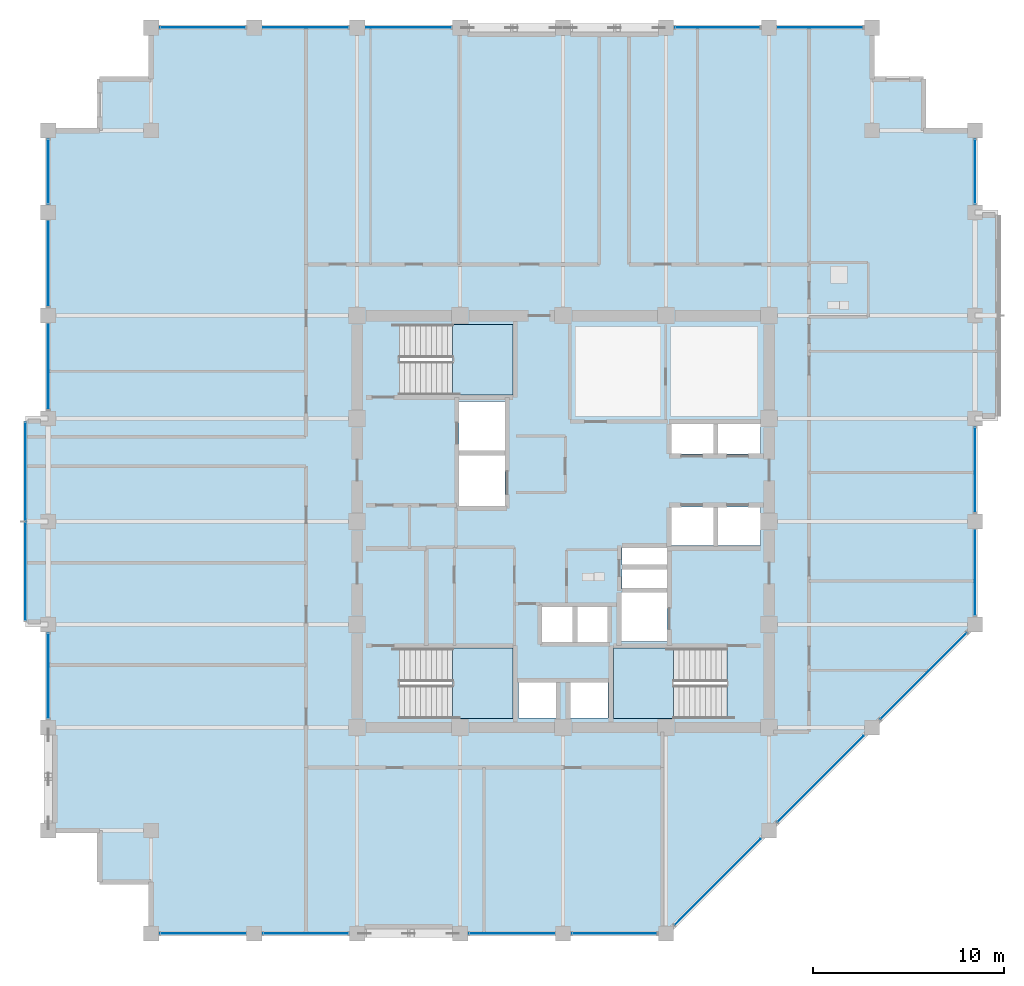
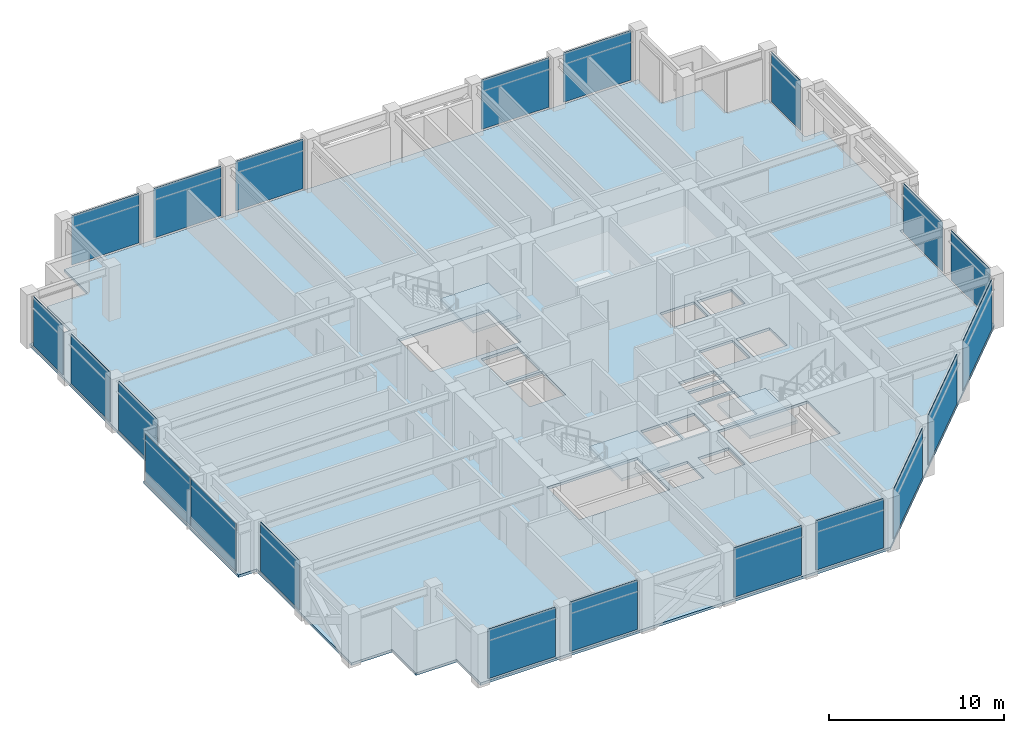
# One storey, part 25 of 32: 21 plates, 4 slabs, 13 elements without a shape of their own.
"""IFC4 building model written with IfcOpenShell, lengths in metres."""

from ifc_helpers import new_model, si_unit, direction, frame, frame_2d, origin, place, context, subcontext, project, spatial, polyline, rectangle, outline, extrude, material, layer, layer_set, type_object, element, aggregate, save


model = new_model("IFC4")

# Units and contexts
model_context = context("Model", 3, precision=1e-05, world=origin(), true_north=direction((0.0, 1.0)))
body_context = subcontext(model_context, "Body", "Model", "MODEL_VIEW")
ifc_project = project(units=[si_unit("LENGTHUNIT", "METRE"), si_unit("AREAUNIT", "SQUARE_METRE"), si_unit("VOLUMEUNIT", "CUBIC_METRE"), si_unit("PLANEANGLEUNIT", "RADIAN"), si_unit("MASSUNIT", "GRAM", prefix="KILO")], contexts=[model_context])

# Site, building, storey
site_placement = place(None, origin())
site = spatial("IfcSite", under=ifc_project, at=site_placement, CompositionType="ELEMENT")
building_placement = place(site_placement, origin())
building = spatial("IfcBuilding", under=site, at=building_placement, Name="Surkhivell Harbour Commons", CompositionType="ELEMENT")
storey_placement = place(building_placement, frame((0.0, 0.0, 234.75)))
storey = spatial("IfcBuildingStorey", under=building, at=storey_placement, Name="L61", CompositionType="ELEMENT", Elevation=234.75)

# Curtain wall, plates
ifc_material_1 = material(Name="Anodised pale-metal aluminium and insulated glazing", Category="aluminium")
ifc_layer_1 = layer(ifc_material_1, 0.1650390625)
ifc_layer_set_1 = layer_set([ifc_layer_1], Name="Anodised pale-metal aluminium and insulated glazing")
curtain_wall_type_1 = type_object("IfcCurtainWallType", Name="CW-SYS-BOX", PredefinedType="NOTDEFINED", material=ifc_layer_set_1)
curtain_wall_1_placement = place(storey_placement, origin())
curtain_wall_1 = element("IfcCurtainWall", 1, at=curtain_wall_1_placement, inside=storey, type_object=curtain_wall_type_1, Name="L61 Curtain Wall CW-L61-BOX02", PredefinedType="NOTDEFINED")
ifc_material_2 = material(Name="Triple-glazed bay-cluster vision glass", Category="glass")
ifc_layer_2 = layer(ifc_material_2, 0.028076171875)
ifc_layer_set_2 = layer_set([ifc_layer_2], Name="Triple-glazed bay-cluster vision glass")
plate_type_1 = type_object("IfcPlateType", Name="CWP-GLZ-28", PredefinedType="CURTAIN_PANEL", material=ifc_layer_set_2)
plate_1_placement = place(storey_placement, frame((-28.199951171875, -5.179931640625, 0.1298828125), z_axis=(0.0, 0.0, 1.0), x_axis=(0.0, 1.0, 0.0)))
plate_1 = element("IfcPlate", 2, at=plate_1_placement, type_object=plate_type_1, Name="CW-BOX panel 1.1", PredefinedType="CURTAIN_PANEL", context=body_context, shape_type="SweptSolid", body=[
    extrude(rectangle(XDim=5.14501953125, YDim=0.028076171875, at=frame_2d((2.572509765625, 0.0))), origin(), (0.0, 0.0, 1.0), 3.31005859375),
])
plate_2_placement = place(storey_placement, frame((-28.199951171875, 0.034912109375, 0.1298828125), z_axis=(0.0, 0.0, 1.0), x_axis=(0.0, 1.0, 0.0)))
plate_2 = element("IfcPlate", 3, at=plate_2_placement, type_object=plate_type_1, Name="CW-BOX panel 2.1", PredefinedType="CURTAIN_PANEL", context=body_context, shape_type="SweptSolid", body=[
    extrude(rectangle(XDim=5.14501953125, YDim=0.028076171875, at=frame_2d((2.572509765625, 0.0))), origin(), (0.0, 0.0, 1.0), 3.31005859375),
])
aggregate(curtain_wall_1, [plate_1, plate_2])

ifc_layer_3 = layer(ifc_material_1, 0.18994140625)
ifc_layer_set_3 = layer_set([ifc_layer_3], Name="Anodised pale-metal aluminium and insulated glazing")
curtain_wall_type_2 = type_object("IfcCurtainWallType", Name="CW-SYS-Z3", PredefinedType="NOTDEFINED", material=ifc_layer_set_3)
curtain_wall_2_placement = place(storey_placement, origin())
curtain_wall_2 = element("IfcCurtainWall", 4, at=curtain_wall_2_placement, inside=storey, type_object=curtain_wall_type_2, Name="L61 Curtain Wall CW-L61-E00S1", PredefinedType="NOTDEFINED")
ifc_material_3 = material(Name="High-pressure typhoon laminated vision glass", Category="glass")
ifc_layer_4 = layer(ifc_material_3, 0.035888671875)
ifc_layer_set_4 = layer_set([ifc_layer_4], Name="High-pressure typhoon laminated vision glass")
plate_type_2 = type_object("IfcPlateType", Name="CWP-GLZ-36", PredefinedType="CURTAIN_PANEL", material=ifc_layer_set_4)
plate_3_placement = place(storey_placement, frame((-21.123046875, -21.60009765625, 0.1298828125), z_axis=(0.0, 0.0, 1.0), x_axis=(1.0, 0.0, 0.0)))
plate_3 = element("IfcPlate", 5, at=plate_3_placement, type_object=plate_type_2, Name="CW-Z3 panel 1.1", PredefinedType="CURTAIN_PANEL", context=body_context, shape_type="SweptSolid", body=[
    extrude(rectangle(XDim=4.446044921875, YDim=0.035888671875, at=frame_2d((2.22314453125, 0.0))), origin(), (0.0, 0.0, 1.0), 3.440185546875),
])
plate_4_placement = place(storey_placement, frame((-15.722900390625, -21.60009765625, 0.1298828125), z_axis=(0.0, 0.0, 1.0), x_axis=(1.0, 0.0, 0.0)))
plate_4 = element("IfcPlate", 6, at=plate_4_placement, type_object=plate_type_2, Name="CW-Z3 panel 2.1", PredefinedType="CURTAIN_PANEL", context=body_context, shape_type="SweptSolid", body=[
    extrude(rectangle(XDim=4.44580078125, YDim=0.035888671875, at=frame_2d((2.222900390625, 0.0))), origin(), (0.0, 0.0, 1.0), 3.440185546875),
])
aggregate(curtain_wall_2, [plate_3, plate_4])

curtain_wall_3_placement = place(storey_placement, origin())
curtain_wall_3 = element("IfcCurtainWall", 7, at=curtain_wall_3_placement, inside=storey, type_object=curtain_wall_type_2, Name="L61 Curtain Wall CW-L61-E00S2", PredefinedType="NOTDEFINED")
plate_5_placement = place(storey_placement, frame((-4.923095703125, -21.60009765625, 0.1298828125), z_axis=(0.0, 0.0, 1.0), x_axis=(1.0, 0.0, 0.0)))
plate_5 = element("IfcPlate", 8, at=plate_5_placement, type_object=plate_type_2, Name="CW-Z3 panel 1.1", PredefinedType="CURTAIN_PANEL", context=body_context, shape_type="SweptSolid", body=[
    extrude(rectangle(XDim=4.446044921875, YDim=0.035888671875, at=frame_2d((2.22314453125, 0.0))), origin(), (0.0, 0.0, 1.0), 3.440185546875),
])
plate_6_placement = place(storey_placement, frame((0.47705078125, -21.60009765625, 0.1298828125), z_axis=(0.0, 0.0, 1.0), x_axis=(1.0, 0.0, 0.0)))
plate_6 = element("IfcPlate", 9, at=plate_6_placement, type_object=plate_type_2, Name="CW-Z3 panel 2.1", PredefinedType="CURTAIN_PANEL", context=body_context, shape_type="SweptSolid", body=[
    extrude(rectangle(XDim=4.446044921875, YDim=0.035888671875, at=frame_2d((2.22314453125, 0.0))), origin(), (0.0, 0.0, 1.0), 3.440185546875),
])
aggregate(curtain_wall_3, [plate_5, plate_6])

curtain_wall_4_placement = place(storey_placement, origin())
curtain_wall_4 = element("IfcCurtainWall", 10, at=curtain_wall_4_placement, inside=storey, type_object=curtain_wall_type_2, Name="L61 Curtain Wall CW-L61-E01", PredefinedType="NOTDEFINED")
plate_7_placement = place(storey_placement, frame((5.854736328125, -21.145263671875, 0.1298828125), z_axis=(0.0, 0.0, 1.0), x_axis=(0.707106781187, 0.707106781187, 0.0)))
plate_7 = element("IfcPlate", 11, at=plate_7_placement, type_object=plate_type_2, Name="CW-Z3 panel 1.1", PredefinedType="CURTAIN_PANEL", context=body_context, shape_type="SweptSolid", body=[
    extrude(rectangle(XDim=6.3505859375, YDim=0.035888671875, at=frame_2d((3.17529296875, 0.0))), origin(), (0.0, 0.0, 1.0), 3.440185546875),
])
plate_8_placement = place(storey_placement, frame((11.254638671875, -15.745361328125, 0.1298828125), z_axis=(0.0, 0.0, 1.0), x_axis=(0.707106781187, 0.707106781187, 0.0)))
plate_8 = element("IfcPlate", 12, at=plate_8_placement, type_object=plate_type_2, Name="CW-Z3 panel 2.1", PredefinedType="CURTAIN_PANEL", context=body_context, shape_type="SweptSolid", body=[
    extrude(rectangle(XDim=6.350830078125, YDim=0.035888671875, at=frame_2d((3.17529296875, 0.0))), origin(), (0.0, 0.0, 1.0), 3.440185546875),
])
plate_9_placement = place(storey_placement, frame((16.65478515625, -10.34521484375, 0.1298828125), z_axis=(0.0, 0.0, 1.0), x_axis=(0.707106781187, 0.707106781187, 0.0)))
plate_9 = element("IfcPlate", 13, at=plate_9_placement, type_object=plate_type_2, Name="CW-Z3 panel 3.1", PredefinedType="CURTAIN_PANEL", context=body_context, shape_type="SweptSolid", body=[
    extrude(rectangle(XDim=6.3505859375, YDim=0.035888671875, at=frame_2d((3.17529296875, 0.0))), origin(), (0.0, 0.0, 1.0), 3.440185546875),
])
aggregate(curtain_wall_4, [plate_7, plate_8, plate_9])

curtain_wall_5_placement = place(storey_placement, origin())
curtain_wall_5 = element("IfcCurtainWall", 14, at=curtain_wall_5_placement, inside=storey, type_object=curtain_wall_type_2, Name="L61 Curtain Wall CW-L61-E02R1", PredefinedType="NOTDEFINED")
plate_10_placement = place(storey_placement, frame((21.60009765625, -4.923095703125, 0.1298828125), z_axis=(0.0, 0.0, 1.0), x_axis=(0.0, 1.0, 0.0)))
plate_10 = element("IfcPlate", 15, at=plate_10_placement, type_object=plate_type_2, Name="CW-Z3 panel 1.1", PredefinedType="CURTAIN_PANEL", context=body_context, shape_type="SweptSolid", body=[
    extrude(rectangle(XDim=4.446044921875, YDim=0.035888671875, at=frame_2d((2.22314453125, 0.0))), origin(), (0.0, 0.0, 1.0), 3.440185546875),
])
plate_11_placement = place(storey_placement, frame((21.60009765625, 0.47705078125, 0.1298828125), z_axis=(0.0, 0.0, 1.0), x_axis=(0.0, 1.0, 0.0)))
plate_11 = element("IfcPlate", 16, at=plate_11_placement, type_object=plate_type_2, Name="CW-Z3 panel 2.1", PredefinedType="CURTAIN_PANEL", context=body_context, shape_type="SweptSolid", body=[
    extrude(rectangle(XDim=4.446044921875, YDim=0.035888671875, at=frame_2d((2.22314453125, 0.0))), origin(), (0.0, 0.0, 1.0), 3.440185546875),
])
aggregate(curtain_wall_5, [plate_10, plate_11])

# Curtain wall, plate
curtain_wall_6_placement = place(storey_placement, origin())
curtain_wall_6 = element("IfcCurtainWall", 17, at=curtain_wall_6_placement, inside=storey, type_object=curtain_wall_type_2, Name="L61 Curtain Wall CW-L61-E02R2", PredefinedType="NOTDEFINED")
plate_12_placement = place(storey_placement, frame((21.60009765625, 16.677001953125, 0.1298828125), z_axis=(0.0, 0.0, 1.0), x_axis=(0.0, 1.0, 0.0)))
plate_12 = element("IfcPlate", 18, at=plate_12_placement, type_object=plate_type_2, Name="CW-Z3 panel 1.1", PredefinedType="CURTAIN_PANEL", context=body_context, shape_type="SweptSolid", body=[
    extrude(rectangle(XDim=3.345947265625, YDim=0.035888671875, at=frame_2d((1.6728515625, 0.0))), origin(), (0.0, 0.0, 1.0), 3.440185546875),
])
aggregate(curtain_wall_6, [plate_12])

# Curtain wall, plates
curtain_wall_7_placement = place(storey_placement, origin())
curtain_wall_7 = element("IfcCurtainWall", 19, at=curtain_wall_7_placement, inside=storey, type_object=curtain_wall_type_2, Name="L61 Curtain Wall CW-L61-E07S1", PredefinedType="NOTDEFINED")
plate_13_placement = place(storey_placement, frame((15.722900390625, 25.89990234375, 0.1298828125), z_axis=(0.0, 0.0, 1.0), x_axis=(-1.0, 0.0, 0.0)))
plate_13 = element("IfcPlate", 20, at=plate_13_placement, type_object=plate_type_2, Name="CW-Z3 panel 1.1", PredefinedType="CURTAIN_PANEL", context=body_context, shape_type="SweptSolid", body=[
    extrude(rectangle(XDim=4.44580078125, YDim=0.035888671875, at=frame_2d((2.222900390625, 0.0))), origin(), (0.0, 0.0, 1.0), 3.440185546875),
])
plate_14_placement = place(storey_placement, frame((10.322998046875, 25.89990234375, 0.1298828125), z_axis=(0.0, 0.0, 1.0), x_axis=(-1.0, 0.0, 0.0)))
plate_14 = element("IfcPlate", 21, at=plate_14_placement, type_object=plate_type_2, Name="CW-Z3 panel 2.1", PredefinedType="CURTAIN_PANEL", context=body_context, shape_type="SweptSolid", body=[
    extrude(rectangle(XDim=4.446044921875, YDim=0.035888671875, at=frame_2d((2.22314453125, 0.0))), origin(), (0.0, 0.0, 1.0), 3.440185546875),
])
aggregate(curtain_wall_7, [plate_13, plate_14])

curtain_wall_8_placement = place(storey_placement, origin())
curtain_wall_8 = element("IfcCurtainWall", 22, at=curtain_wall_8_placement, inside=storey, type_object=curtain_wall_type_2, Name="L61 Curtain Wall CW-L61-E07S2", PredefinedType="NOTDEFINED")
plate_15_placement = place(storey_placement, frame((-5.876953125, 25.89990234375, 0.1298828125), z_axis=(0.0, 0.0, 1.0), x_axis=(-1.0, 0.0, 0.0)))
plate_15 = element("IfcPlate", 23, at=plate_15_placement, type_object=plate_type_2, Name="CW-Z3 panel 1.1", PredefinedType="CURTAIN_PANEL", context=body_context, shape_type="SweptSolid", body=[
    extrude(rectangle(XDim=4.446044921875, YDim=0.035888671875, at=frame_2d((2.22314453125, 0.0))), origin(), (0.0, 0.0, 1.0), 3.440185546875),
])
plate_16_placement = place(storey_placement, frame((-11.277099609375, 25.89990234375, 0.1298828125), z_axis=(0.0, 0.0, 1.0), x_axis=(-1.0, 0.0, 0.0)))
plate_16 = element("IfcPlate", 24, at=plate_16_placement, type_object=plate_type_2, Name="CW-Z3 panel 2.1", PredefinedType="CURTAIN_PANEL", context=body_context, shape_type="SweptSolid", body=[
    extrude(rectangle(XDim=4.44580078125, YDim=0.035888671875, at=frame_2d((2.222900390625, 0.0))), origin(), (0.0, 0.0, 1.0), 3.440185546875),
])
plate_17_placement = place(storey_placement, frame((-16.677001953125, 25.89990234375, 0.1298828125), z_axis=(0.0, 0.0, 1.0), x_axis=(-1.0, 0.0, 0.0)))
plate_17 = element("IfcPlate", 25, at=plate_17_placement, type_object=plate_type_2, Name="CW-Z3 panel 3.1", PredefinedType="CURTAIN_PANEL", context=body_context, shape_type="SweptSolid", body=[
    extrude(rectangle(XDim=4.446044921875, YDim=0.035888671875, at=frame_2d((2.22314453125, 0.0))), origin(), (0.0, 0.0, 1.0), 3.440185546875),
])
aggregate(curtain_wall_8, [plate_15, plate_16, plate_17])

# Curtain wall, plate
curtain_wall_9_placement = place(storey_placement, origin())
curtain_wall_9 = element("IfcCurtainWall", 26, at=curtain_wall_9_placement, inside=storey, type_object=curtain_wall_type_2, Name="L61 Curtain Wall CW-L61-E12R1S1", PredefinedType="NOTDEFINED")
plate_18_placement = place(storey_placement, frame((-27.0, -10.322998046875, 0.1298828125), z_axis=(0.0, 0.0, 1.0), x_axis=(0.0, 1.0, 0.0)))
plate_18 = element("IfcPlate", 27, at=plate_18_placement, type_object=plate_type_2, Name="CW-Z3 panel 1.1", PredefinedType="CURTAIN_PANEL", context=body_context, shape_type="SweptSolid", body=[
    extrude(rectangle(XDim=4.446044921875, YDim=0.035888671875, at=frame_2d((2.22314453125, 0.0))), origin(), (0.0, 0.0, 1.0), 3.440185546875),
])
aggregate(curtain_wall_9, [plate_18])

# Curtain wall, plates
curtain_wall_10_placement = place(storey_placement, origin())
curtain_wall_10 = element("IfcCurtainWall", 28, at=curtain_wall_10_placement, inside=storey, type_object=curtain_wall_type_2, Name="L61 Curtain Wall CW-L61-E12R2", PredefinedType="NOTDEFINED")
plate_19_placement = place(storey_placement, frame((-27.0, 5.876953125, 0.1298828125), z_axis=(0.0, 0.0, 1.0), x_axis=(0.0, 1.0, 0.0)))
plate_19 = element("IfcPlate", 29, at=plate_19_placement, type_object=plate_type_2, Name="CW-Z3 panel 1.1", PredefinedType="CURTAIN_PANEL", context=body_context, shape_type="SweptSolid", body=[
    extrude(rectangle(XDim=4.446044921875, YDim=0.035888671875, at=frame_2d((2.22314453125, 0.0))), origin(), (0.0, 0.0, 1.0), 3.440185546875),
])
plate_20_placement = place(storey_placement, frame((-27.0, 11.277099609375, 0.1298828125), z_axis=(0.0, 0.0, 1.0), x_axis=(0.0, 1.0, 0.0)))
plate_20 = element("IfcPlate", 30, at=plate_20_placement, type_object=plate_type_2, Name="CW-Z3 panel 2.1", PredefinedType="CURTAIN_PANEL", context=body_context, shape_type="SweptSolid", body=[
    extrude(rectangle(XDim=4.44580078125, YDim=0.035888671875, at=frame_2d((2.222900390625, 0.0))), origin(), (0.0, 0.0, 1.0), 3.440185546875),
])
plate_21_placement = place(storey_placement, frame((-27.0, 16.677001953125, 0.1298828125), z_axis=(0.0, 0.0, 1.0), x_axis=(0.0, 1.0, 0.0)))
plate_21 = element("IfcPlate", 31, at=plate_21_placement, type_object=plate_type_2, Name="CW-Z3 panel 3.1", PredefinedType="CURTAIN_PANEL", context=body_context, shape_type="SweptSolid", body=[
    extrude(rectangle(XDim=3.345947265625, YDim=0.035888671875, at=frame_2d((1.6728515625, 0.0))), origin(), (0.0, 0.0, 1.0), 3.440185546875),
])
aggregate(curtain_wall_10, [plate_19, plate_20, plate_21])

# Stair, slab
ifc_material_4 = material(Name="Precast concrete C45/55", Category="concrete")
stair_type = type_object("IfcStairType", Name="STR-DL-375", PredefinedType="HALF_TURN_STAIR", material=ifc_material_4)
stair_1_placement = place(storey_placement, origin())
stair_1 = element("IfcStair", 32, at=stair_1_placement, inside=storey, type_object=stair_type, Name="L61 Core Exit Stair ST1", PredefinedType="HALF_TURN_STAIR")
ifc_material_5 = material(Name="Reinforced concrete C45/55", Category="concrete")
ifc_layer_5 = layer(ifc_material_5, 0.199951171875)
ifc_layer_set_5 = layer_set([ifc_layer_5], Name="Reinforced concrete C45/55")
slab_type_1 = type_object("IfcSlabType", Name="SLB-ST-LND200", PredefinedType="LANDING", material=ifc_layer_set_5)
slab_1_placement = place(storey_placement, frame((0.0, 0.0, 1.675048828125)))
slab_1 = element("IfcSlab", 33, at=slab_1_placement, type_object=slab_type_1, Name="ST1 landing 1", PredefinedType="LANDING", context=body_context, shape_type="SweptSolid", body=[
    extrude(outline(polyline([(-5.7900390625, 6.639892578125), (-2.639892578125, 6.639892578125), (-2.639892578125, 10.340087890625), (-5.7900390625, 10.340087890625), (-5.7900390625, 6.639892578125)])), origin(), (0.0, 0.0, 1.0), 0.199951171875),
])
aggregate(stair_1, [slab_1])

stair_2_placement = place(storey_placement, origin())
stair_2 = element("IfcStair", 34, at=stair_2_placement, inside=storey, type_object=stair_type, Name="L61 Core Exit Stair ST2", PredefinedType="HALF_TURN_STAIR")
slab_2_placement = place(storey_placement, frame((0.0, 0.0, 1.675048828125)))
slab_2 = element("IfcSlab", 35, at=slab_2_placement, type_object=slab_type_1, Name="ST2 landing 1", PredefinedType="LANDING", context=body_context, shape_type="SweptSolid", body=[
    extrude(outline(polyline([(5.7900390625, -6.639892578125), (2.639892578125, -6.639892578125), (2.639892578125, -10.340087890625), (5.7900390625, -10.340087890625), (5.7900390625, -6.639892578125)])), origin(), (0.0, 0.0, 1.0), 0.199951171875),
])
aggregate(stair_2, [slab_2])

stair_3_placement = place(storey_placement, origin())
stair_3 = element("IfcStair", 36, at=stair_3_placement, inside=storey, type_object=stair_type, Name="L61 Core Exit Stair ST3", PredefinedType="HALF_TURN_STAIR")
slab_3_placement = place(storey_placement, frame((0.0, 0.0, 1.675048828125)))
slab_3 = element("IfcSlab", 37, at=slab_3_placement, type_object=slab_type_1, Name="ST3 landing 1", PredefinedType="LANDING", context=body_context, shape_type="SweptSolid", body=[
    extrude(outline(polyline([(-5.7900390625, -10.340087890625), (-2.639892578125, -10.340087890625), (-2.639892578125, -6.639892578125), (-5.7900390625, -6.639892578125), (-5.7900390625, -10.340087890625)])), origin(), (0.0, 0.0, 1.0), 0.199951171875),
])
aggregate(stair_3, [slab_3])

# Slab
ifc_material_6 = material(Name="Concrete C45/55", Category="concrete")
ifc_layer_6 = layer(ifc_material_6, 0.179931640625)
ifc_layer_set_6 = layer_set([ifc_layer_6], Name="Concrete C45/55")
slab_type_2 = type_object("IfcSlabType", Name="SLB-TYP-180", PredefinedType="FLOOR", material=ifc_layer_set_6)
slab_4_placement = place(storey_placement, frame((0.0, 0.0, -0.179931640625)))
element("IfcSlab", 38, at=slab_4_placement, inside=storey, type_object=slab_type_2, Name="L61 Structural Floor Slab", PredefinedType="FLOOR", context=body_context, shape_type="SweptSolid", body=[
    extrude(outline(polyline([(-27.0, 20.5), (-27.0, 5.39990234375), (-28.199951171875, 5.39990234375), (-28.199951171875, -5.39990234375), (-27.0, -5.39990234375), (-27.0, -16.199951171875), (-24.300048828125, -16.199951171875), (-24.300048828125, -18.89990234375), (-21.60009765625, -18.89990234375), (-21.60009765625, -21.60009765625), (5.39990234375, -21.60009765625), (21.60009765625, -5.39990234375), (21.60009765625, 5.39990234375), (22.800048828125, 5.39990234375), (22.800048828125, 16.199951171875), (21.60009765625, 16.199951171875), (21.60009765625, 20.5), (18.89990234375, 20.5), (18.89990234375, 23.199951171875), (16.199951171875, 23.199951171875), (16.199951171875, 25.89990234375), (-21.60009765625, 25.89990234375), (-21.60009765625, 23.199951171875), (-24.300048828125, 23.199951171875), (-24.300048828125, 20.5), (-27.0, 20.5)]), holes=[polyline([(-8.590087890625, 6.639892578125), (-2.639892578125, 6.639892578125), (-2.639892578125, 10.340087890625), (-8.590087890625, 10.340087890625), (-8.590087890625, 6.639892578125)]), polyline([(8.590087890625, -6.639892578125), (2.639892578125, -6.639892578125), (2.639892578125, -10.340087890625), (8.590087890625, -10.340087890625), (8.590087890625, -6.639892578125)]), polyline([(-8.590087890625, -10.340087890625), (-2.639892578125, -10.340087890625), (-2.639892578125, -6.639892578125), (-8.590087890625, -6.639892578125), (-8.590087890625, -10.340087890625)]), polyline([(5.64990234375, 3.550048828125), (7.89990234375, 3.550048828125), (7.89990234375, 5.14990234375), (5.64990234375, 5.14990234375), (5.64990234375, 3.550048828125)]), polyline([(8.10009765625, 3.550048828125), (10.35009765625, 3.550048828125), (10.35009765625, 5.14990234375), (8.10009765625, 5.14990234375), (8.10009765625, 3.550048828125)]), polyline([(5.64990234375, -1.25), (7.89990234375, -1.25), (7.89990234375, 0.75), (5.64990234375, 0.75), (5.64990234375, -1.25)]), polyline([(8.10009765625, -1.25), (10.35009765625, -1.25), (10.35009765625, 0.75), (8.10009765625, 0.75), (8.10009765625, -1.25)]), polyline([(-1.14990234375, -6.35009765625), (0.550048828125, -6.35009765625), (0.550048828125, -4.449951171875), (-1.14990234375, -4.449951171875), (-1.14990234375, -6.35009765625)]), polyline([(0.679931640625, -6.35009765625), (2.3798828125, -6.35009765625), (2.3798828125, -4.449951171875), (0.679931640625, -4.449951171875), (0.679931640625, -6.35009765625)]), polyline([(-2.35009765625, -10.300048828125), (-0.35009765625, -10.300048828125), (-0.35009765625, -8.39990234375), (-2.35009765625, -8.39990234375), (-2.35009765625, -10.300048828125)]), polyline([(0.35009765625, -10.300048828125), (2.35009765625, -10.300048828125), (2.35009765625, -8.39990234375), (0.35009765625, -8.39990234375), (0.35009765625, -10.300048828125)]), polyline([(-5.449951171875, 3.699951171875), (-3.050048828125, 3.699951171875), (-3.050048828125, 6.300048828125), (-5.449951171875, 6.300048828125), (-5.449951171875, 3.699951171875)]), polyline([(3.050048828125, -6.300048828125), (5.449951171875, -6.300048828125), (5.449951171875, -3.699951171875), (3.050048828125, -3.699951171875), (3.050048828125, -6.300048828125)]), polyline([(-5.449951171875, 0.800048828125), (-3.050048828125, 0.800048828125), (-3.050048828125, 3.5), (-5.449951171875, 3.5), (-5.449951171875, 0.800048828125)]), polyline([(3.10009765625, -3.550048828125), (5.449951171875, -3.550048828125), (5.449951171875, -2.47998046875), (3.10009765625, -2.47998046875), (3.10009765625, -3.550048828125)]), polyline([(3.10009765625, -2.280029296875), (5.449951171875, -2.280029296875), (5.449951171875, -1.35009765625), (3.10009765625, -1.35009765625), (3.10009765625, -2.280029296875)])]), origin(), (0.0, 0.0, 1.0), 0.179931640625),
])

save(model, "model.ifc")
